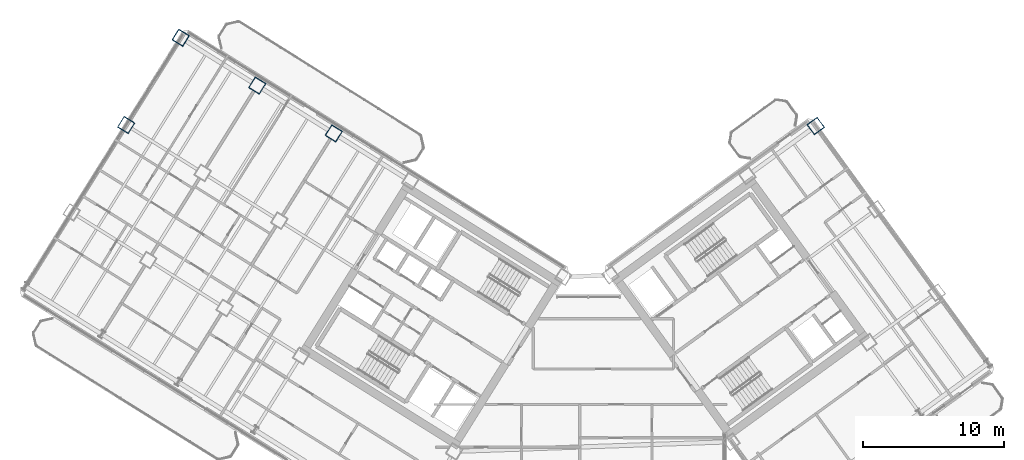
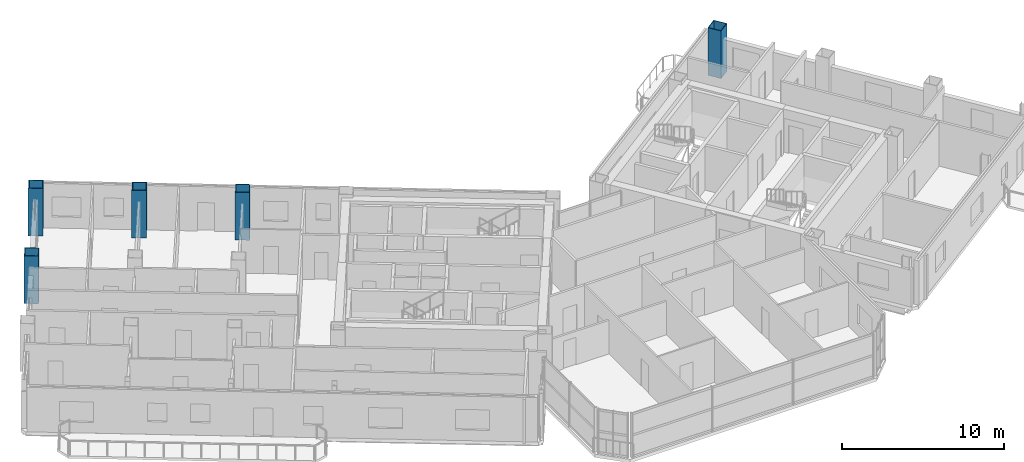
# One storey, part 3 of 29: 5 columns.
"""IFC4 building model written with IfcOpenShell, lengths in metres."""

from ifc_helpers import new_model, si_unit, direction, frame, origin, origin_2d, place, context, subcontext, project, spatial, hollow_rectangle, extrude, source, transform, mapped, material, material_profile, profile_set, type_object, element, save


model = new_model("IFC4")

# Units and contexts
model_context = context("Model", 3, precision=1e-05, world=origin(), true_north=direction((0.0, 1.0)))
body_context = subcontext(model_context, "Body", "Model", "MODEL_VIEW")
ifc_project = project(units=[si_unit("LENGTHUNIT", "METRE"), si_unit("AREAUNIT", "SQUARE_METRE"), si_unit("VOLUMEUNIT", "CUBIC_METRE"), si_unit("PLANEANGLEUNIT", "RADIAN"), si_unit("MASSUNIT", "GRAM", prefix="KILO")], contexts=[model_context])

# Site, building, storey
site_placement = place(None, origin())
site = spatial("IfcSite", under=ifc_project, at=site_placement, CompositionType="ELEMENT")
building_placement = place(site_placement, origin())
building = spatial("IfcBuilding", under=site, at=building_placement, Name="Tlacorven Tower", CompositionType="ELEMENT")
storey_placement = place(building_placement, frame((0.0, 0.0, 158.699951171875)))
storey = spatial("IfcBuildingStorey", under=building, at=storey_placement, Name="L40", CompositionType="ELEMENT", Elevation=158.699951171875)

# Columns
ifc_material = material(Name="Steel S460M", Category="steel")
ifc_material_profile = material_profile(ifc_material, hollow_rectangle(XDim=0.89990234375, YDim=0.89990234375, WallThickness=0.035888671875, at=origin_2d()), Name="BOX 900X900X36")
ifc_profile_set = profile_set([ifc_material_profile], Name="Steel S460M")
column_type = type_object("IfcColumnType", Name="COL-TWR-S2", PredefinedType="COLUMN", material=ifc_profile_set)
shared_shape = source(origin(), body_context, "Body", "SweptSolid", [
    extrude(hollow_rectangle(XDim=0.89990234375, YDim=0.89990234375, WallThickness=0.035888671875, at=origin_2d()), origin(), (0.0, 0.0, 1.0), 3.60009765625),
])
for number, where, z_axis, x_axis, name in (
    (1, (24.50048828125, 34.642822265625, 0.0), (0.0, 0.0, 1.0), (-0.848048096156, 0.529919264233, 0.0), "L40 column COL-L40-W4-1"),
    (2, (19.072998046875, 38.034423828125, 0.0), (0.0, 0.0, 1.0), (-0.848048096156, 0.529919264233, 0.0), "L40 column COL-L40-W5-1"),
    (3, (13.6455078125, 41.42578125, 0.0), (0.0, 0.0, 1.0), (-0.848048096156, 0.529919264233, 0.0), "L40 column COL-L40-W6-1"),
    (4, (9.777099609375, 35.235107421875, 0.0), (0.0, 0.0, 1.0), (-0.848048096156, 0.529919264233, 0.0), "L40 column COL-L40-W6-2"),
    (5, (58.68603515625, 35.165283203125, 0.0), (0.0, 0.0, 1.0), (0.809016994375, 0.587785252292, 0.0), "L40 column COL-L40-E4-4"),
):
    element("IfcColumn", number, at=place(storey_placement, frame(where, z_axis=z_axis, x_axis=x_axis)), inside=storey, type_object=column_type, Name=name, PredefinedType="COLUMN", context=body_context, shape_type="MappedRepresentation", body=[
        mapped(shared_shape, transform((0.0, 0.0, 0.0), scale=1.0)),
    ])

save(model, "model.ifc")
